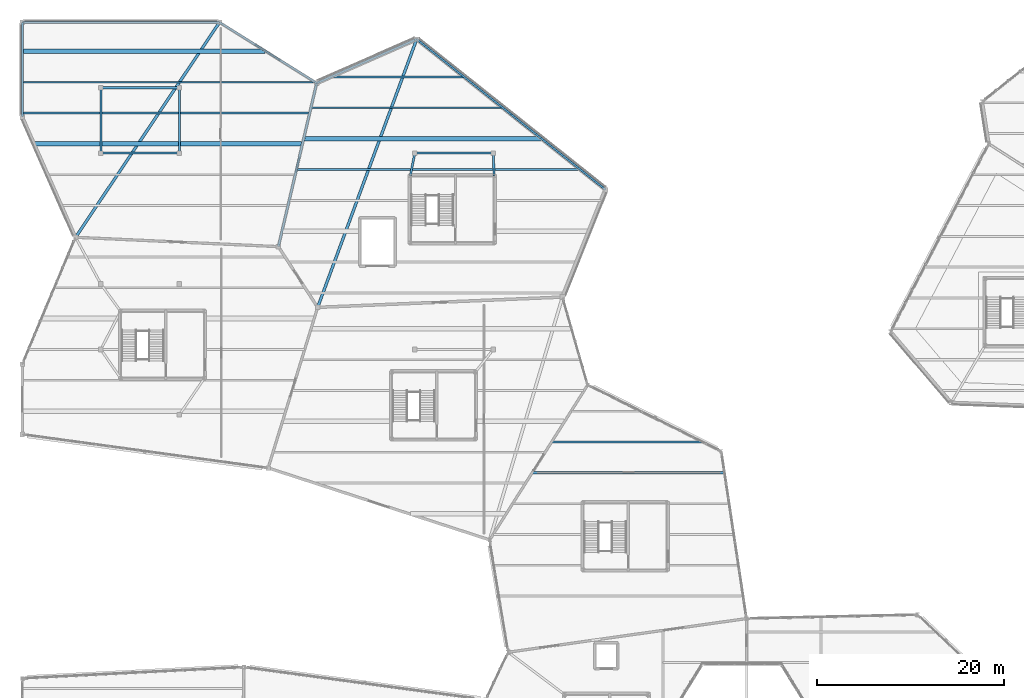
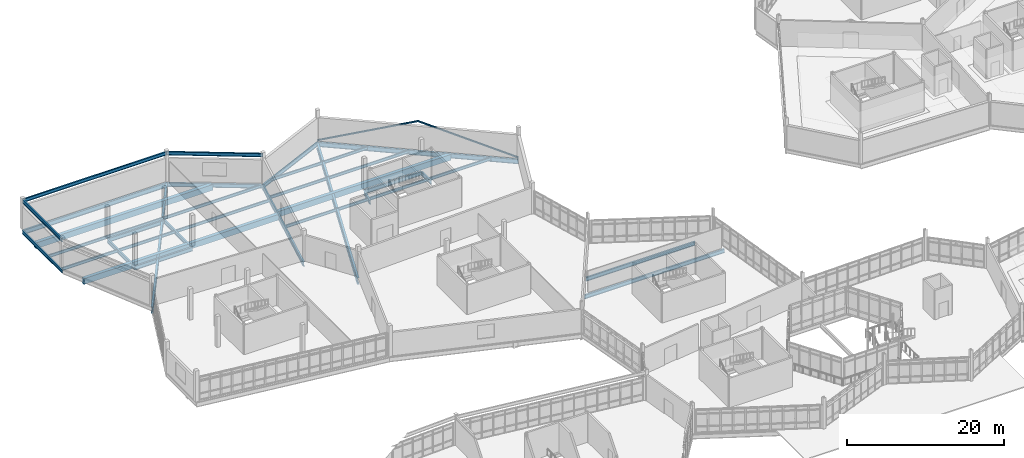
# One storey, part 57 of 134: 28 beams, 2 members.
"""IFC4 building model written with IfcOpenShell, lengths in metres."""

import ifcopenshell
import ifcopenshell.guid

model = None  # the IFC model being written
_history = None  # IfcOwnerHistory: only IFC2X3 demands one
_inside = {}  # id of a spatial element -> (the spatial element, [elements in it])
_under = {}  # id of a project, library or spatial element -> (it, [spatial elements below it])
_declared = {}  # id of a project -> (the project, [libraries it declares])
_typed = {}  # id of a type object -> (the type object, [elements of that type])
_made_of = {}  # id of a material, layer set ... -> (it, [elements and type objects made of it])


def new_model(schema):
    """Start an empty IFC model of exactly this schema.

    Asked for "IFC4X3", IfcOpenShell would pick the latest addendum, in which some entities
    have other attributes; the version numbers below select the first issue.
    IFC2X3 requires an IfcOwnerHistory on every rooted entity: one is made here for all.
    """
    global model, _history
    if schema == "IFC4X3":
        model = ifcopenshell.file(schema_version=(4, 3, 0, 0))
    else:
        model = ifcopenshell.file(schema=schema)
    _inside.clear()
    _under.clear()
    _declared.clear()
    _typed.clear()
    _made_of.clear()
    _history = None
    if model.schema == "IFC2X3":
        org = make("IfcOrganization", Name="unknown")
        user = make(
            "IfcPersonAndOrganization",
            ThePerson=make("IfcPerson", FamilyName="unknown"),
            TheOrganization=org,
        )
        app = make(
            "IfcApplication",
            ApplicationDeveloper=org,
            Version="unknown",
            ApplicationFullName="unknown",
            ApplicationIdentifier="unknown",
        )
        _history = make(
            "IfcOwnerHistory",
            OwningUser=user,
            OwningApplication=app,
            ChangeAction="ADDED",
            CreationDate=0,
        )
    return model


def make(cls, **values):
    """One entity of the class cls with the attributes given. An attribute that is None is left unset."""
    return model.create_entity(
        cls, **{name: value for name, value in values.items() if value is not None}
    )


def rooted(cls, **values):
    """An entity with a GlobalId (a new one), such as an element, a storey or a relation."""
    return make(cls, GlobalId=ifcopenshell.guid.new(), OwnerHistory=_history, **values)


def si_unit(unit_type, name, prefix=None):
    """IfcSIUnit, for example si_unit("LENGTHUNIT", "METRE", prefix="MILLI")."""
    return make("IfcSIUnit", UnitType=unit_type, Prefix=prefix, Name=name)


def assignment(units):
    """IfcUnitAssignment: the units of a project."""
    return None if units is None else make("IfcUnitAssignment", Units=units)


def point(xyz):
    """IfcCartesianPoint."""
    return None if xyz is None else make("IfcCartesianPoint", Coordinates=xyz)


def direction(xyz):
    """IfcDirection."""
    return None if xyz is None else make("IfcDirection", DirectionRatios=xyz)


def frame(location, z_axis=None, x_axis=None):
    """IfcAxis2Placement3D, a coordinate frame: its origin and axes. An axis left out is left unset."""
    return make(
        "IfcAxis2Placement3D",
        Location=point(location),
        Axis=direction(z_axis),
        RefDirection=direction(x_axis),
    )


def frame_2d(location, x_axis=None):
    """IfcAxis2Placement2D, a coordinate frame in the plane: its origin and x axis."""
    return make(
        "IfcAxis2Placement2D", Location=point(location), RefDirection=direction(x_axis)
    )


def origin():
    """The frame at (0, 0, 0) with its axes left unset."""
    return frame((0.0, 0.0, 0.0))


def origin_2d():
    """The frame at (0, 0) in the plane with its x axis left unset."""
    return frame_2d((0.0, 0.0))


def place(relative_to, where):
    """IfcLocalPlacement: puts the frame where relative to a parent placement (None: the world)."""
    return make(
        "IfcLocalPlacement", PlacementRelTo=relative_to, RelativePlacement=where
    )


def context(
    kind, dimensions, precision=None, world=None, true_north=None, identifier=None
):
    """IfcGeometricRepresentationContext, for example the 3D "Model" context."""
    return make(
        "IfcGeometricRepresentationContext",
        ContextIdentifier=identifier,
        ContextType=kind,
        CoordinateSpaceDimension=dimensions,
        Precision=precision,
        WorldCoordinateSystem=world,
        TrueNorth=true_north,
    )


def subcontext(parent, identifier, kind, view, scale=None):
    """IfcGeometricRepresentationSubContext, for example "Body" below "Model"."""
    return make(
        "IfcGeometricRepresentationSubContext",
        ContextIdentifier=identifier,
        ContextType=kind,
        ParentContext=parent,
        TargetScale=scale,
        TargetView=view,
    )


def project(units=None, contexts=None):
    """IfcProject with its units and contexts."""
    return rooted(
        "IfcProject",
        Name="project",
        RepresentationContexts=contexts,
        UnitsInContext=assignment(units),
    )


def spatial(cls, under=None, at=None, **own):
    """A site, building, storey or space (cls), placed at a placement, below another one or the project."""
    s = rooted(cls, ObjectPlacement=at, **own)
    if under is not None:
        _under.setdefault(under.id(), (under, []))[1].append(s)
    return s


def profile(cls, at=None, kind="AREA", **sizes):
    """A parametric profile (cls). Its sizes go by their IFC names, for example OverallWidth=200.0."""
    return make(cls, ProfileType=kind, Position=at, **sizes)


def rectangle(**sizes):
    """IfcRectangleProfileDef."""
    return profile("IfcRectangleProfileDef", **sizes)


def hollow_rectangle(**sizes):
    """IfcRectangleHollowProfileDef."""
    return profile("IfcRectangleHollowProfileDef", **sizes)


def i_section(**sizes):
    """IfcIShapeProfileDef."""
    return profile("IfcIShapeProfileDef", **sizes)


def extrude(swept, where, along, depth):
    """IfcExtrudedAreaSolid: the profile swept, set in the frame where, extruded along a direction by depth."""
    return make(
        "IfcExtrudedAreaSolid",
        SweptArea=swept,
        Position=where,
        ExtrudedDirection=direction(along),
        Depth=depth,
    )


def shape(context_of_items, identifier, shape_type, items):
    """IfcShapeRepresentation: the items that make up one representation, for example the "Body"."""
    return make(
        "IfcShapeRepresentation",
        ContextOfItems=context_of_items,
        RepresentationIdentifier=identifier,
        RepresentationType=shape_type,
        Items=items,
    )


def material(Name=None, Category=None):
    """IfcMaterial."""
    return make("IfcMaterial", Name=Name, Category=Category)


def material_profile(
    of_material, cross_section, Name=None, Category=None, Priority=None
):
    """IfcMaterialProfile: a cross section and its material."""
    return make(
        "IfcMaterialProfile",
        Name=Name,
        Material=of_material,
        Profile=cross_section,
        Priority=Priority,
        Category=Category,
    )


def profile_set(profiles, Name=None, composite=None):
    """IfcMaterialProfileSet."""
    return make(
        "IfcMaterialProfileSet",
        Name=Name,
        MaterialProfiles=profiles,
        CompositeProfile=composite,
    )


def made_of(thing, what):
    """Note that an element or type object is made of a material, layer set ...; save() writes the relation."""
    if what is not None:
        _made_of.setdefault(what.id(), (what, []))[1].append(thing)
    return thing


def type_object(cls, material=None, **own):
    """A type object (cls), such as IfcWallType, which elements share."""
    return made_of(rooted(cls, **own), material)


def element(
    cls,
    number,
    at=None,
    inside=None,
    cuts=None,
    type_object=None,
    material=None,
    context=None,
    identifier="Body",
    shape_type=None,
    held_by="IfcProductDefinitionShape",
    body=None,
    shapes=None,
    **own,
):
    """One element of the class cls, such as IfcWall. Its Tag is "e" and its number.

    at: its placement. inside: the storey or other place that contains it. cuts: it is an
    opening in that element (IfcRelVoidsElement). A single representation is given by context,
    identifier, shape_type and body (its items); several are given by shapes. held_by: the class
    of the entity that holds the representations. save() writes the other relations.
    """
    e = rooted(cls, Tag="e%d" % number, ObjectPlacement=at, **own)
    if body is not None:
        shapes = [shape(context, identifier, shape_type, body)]
    if shapes is not None:
        e.Representation = make(held_by, Representations=shapes)
    if inside is not None:
        _inside.setdefault(inside.id(), (inside, []))[1].append(e)
    if cuts is not None:
        rooted(
            "IfcRelVoidsElement", RelatingBuildingElement=cuts, RelatedOpeningElement=e
        )
    if type_object is not None:
        _typed.setdefault(type_object.id(), (type_object, []))[1].append(e)
    return made_of(e, material)


def aggregate(whole, parts):
    """IfcRelAggregates: a whole, such as a stair, and the parts it consists of."""
    return rooted("IfcRelAggregates", RelatingObject=whole, RelatedObjects=parts)


def save(model, path):
    """Write the relations noted so far, then the file.

    IfcRelAggregates (storeys below a building ...), IfcRelContainedInSpatialStructure (elements
    in a storey), IfcRelDefinesByType, IfcRelAssociatesMaterial and IfcRelDeclares: one each for
    every whole, place, type object, material and project.
    """
    for whole, parts in _under.values():
        aggregate(whole, parts)
    for where, things in _inside.values():
        rooted(
            "IfcRelContainedInSpatialStructure",
            RelatedElements=things,
            RelatingStructure=where,
        )
    for kind, things in _typed.values():
        rooted("IfcRelDefinesByType", RelatedObjects=things, RelatingType=kind)
    for what, things in _made_of.values():
        rooted("IfcRelAssociatesMaterial", RelatedObjects=things, RelatingMaterial=what)
    for by, libraries in _declared.values():
        rooted("IfcRelDeclares", RelatingContext=by, RelatedDefinitions=libraries)
    model.write(path)


model = new_model("IFC4")

# Units and contexts
model_context = context("Model", 3, precision=1e-05, world=origin(), true_north=direction((0.0, 1.0)))
body_context = subcontext(model_context, "Body", "Model", "MODEL_VIEW")
ifc_project = project(units=[si_unit("LENGTHUNIT", "METRE"), si_unit("AREAUNIT", "SQUARE_METRE"), si_unit("VOLUMEUNIT", "CUBIC_METRE"), si_unit("PLANEANGLEUNIT", "RADIAN"), si_unit("MASSUNIT", "GRAM", prefix="KILO")], contexts=[model_context])

# Site, building, storey
site_placement = place(None, origin())
site = spatial("IfcSite", under=ifc_project, at=site_placement, CompositionType="ELEMENT")
building_placement = place(site_placement, origin())
building = spatial("IfcBuilding", under=site, at=building_placement, Name="Tameran Prism Museum", CompositionType="ELEMENT")
storey_placement = place(building_placement, frame((0.0, 0.0, 5.39990234375)))
storey = spatial("IfcBuildingStorey", under=building, at=storey_placement, Name="L01", CompositionType="ELEMENT", Elevation=5.39990234375)

# Beams
ifc_material_1 = material(Name="Steel Grade 300PLUS (300 MPa)", Category="steel")
ifc_material_profile_1 = material_profile(ifc_material_1, i_section(OverallWidth=0.19091796875, OverallDepth=0.4599609375, WebThickness=0.010009765625, FlangeThickness=0.01611328125, FilletRadius=0.011474609375, at=origin_2d()))
ifc_profile_set_1 = profile_set([ifc_material_profile_1])
beam_type_1 = type_object("IfcBeamType", Name="BM-J460A", PredefinedType="JOIST", material=ifc_profile_set_1)
beam_1_placement = place(storey_placement, frame((29.3740234375, 96.25, -0.489990234375), z_axis=(1.0, 0.0, 0.0), x_axis=(0.0, 1.0, 0.0)))
element("IfcBeam", 1, at=beam_1_placement, inside=storey, type_object=beam_type_1, Name="Floor Beam BM-0629", PredefinedType="JOIST", context=body_context, shape_type="SweptSolid", body=[
    extrude(i_section(OverallWidth=0.19091796875, OverallDepth=0.4599609375, WebThickness=0.010009765625, FlangeThickness=0.01611328125, FilletRadius=0.011474609375, at=origin_2d()), origin(), (0.0, 0.0, 1.0), 30.263916015625),
])
beam_2_placement = place(storey_placement, frame((30.919921875, 102.85009765625, -0.489990234375), z_axis=(1.0, 0.0, 0.0), x_axis=(0.0, 1.0, 0.0)))
element("IfcBeam", 2, at=beam_2_placement, inside=storey, type_object=beam_type_1, Name="Floor Beam BM-0631", PredefinedType="JOIST", context=body_context, shape_type="SweptSolid", body=[
    extrude(i_section(OverallWidth=0.19091796875, OverallDepth=0.4599609375, WebThickness=0.010009765625, FlangeThickness=0.01611328125, FilletRadius=0.011474609375, at=origin_2d()), origin(), (0.0, 0.0, 1.0), 20.43798828125),
])
beam_3_placement = place(storey_placement, frame((33.0791015625, 106.14990234375, -0.489990234375), z_axis=(1.0, 0.0, 0.0), x_axis=(0.0, 1.0, 0.0)))
element("IfcBeam", 3, at=beam_3_placement, inside=storey, type_object=beam_type_1, Name="Floor Beam BM-0632", PredefinedType="JOIST", context=body_context, shape_type="SweptSolid", body=[
    extrude(i_section(OverallWidth=0.19091796875, OverallDepth=0.4599609375, WebThickness=0.010009765625, FlangeThickness=0.01611328125, FilletRadius=0.011474609375, at=origin_2d()), origin(), (0.0, 0.0, 1.0), 14.137939453125),
])
beam_4_placement = place(storey_placement, frame((0.0400390625, 102.300048828125, -0.489990234375), z_axis=(1.0, 0.0, 0.0), x_axis=(0.0, 1.0, 0.0)))
element("IfcBeam", 4, at=beam_4_placement, inside=storey, type_object=beam_type_1, Name="Floor Beam BM-0644", PredefinedType="JOIST", context=body_context, shape_type="SweptSolid", body=[
    extrude(i_section(OverallWidth=0.19091796875, OverallDepth=0.4599609375, WebThickness=0.010009765625, FlangeThickness=0.01611328125, FilletRadius=0.011474609375, at=origin_2d()), origin(), (0.0, 0.0, 1.0), 30.6689453125),
])
beam_5_placement = place(storey_placement, frame((0.0400390625, 105.60009765625, -0.489990234375), z_axis=(1.0, 0.0, 0.0), x_axis=(0.0, 1.0, 0.0)))
element("IfcBeam", 5, at=beam_5_placement, inside=storey, type_object=beam_type_1, Name="Floor Beam BM-0645", PredefinedType="JOIST", context=body_context, shape_type="SweptSolid", body=[
    extrude(i_section(OverallWidth=0.19091796875, OverallDepth=0.4599609375, WebThickness=0.010009765625, FlangeThickness=0.01611328125, FilletRadius=0.011474609375, at=origin_2d()), origin(), (0.0, 0.0, 1.0), 31.224853515625),
])
ifc_material_2 = material(Name="Concrete N40 (40 MPa)", Category="concrete")
ifc_material_profile_2 = material_profile(ifc_material_2, rectangle(XDim=0.5, YDim=0.89990234375, at=origin_2d()))
ifc_profile_set_2 = profile_set([ifc_material_profile_2])
beam_type_2 = type_object("IfcBeamType", Name="BM-RC900", PredefinedType="BEAM", material=ifc_profile_set_2)
beam_6_placement = place(storey_placement, frame((30.14697265625, 99.550048828125, -0.7099609375), z_axis=(1.0, 0.0, 0.0), x_axis=(0.0, 1.0, 0.0)))
element("IfcBeam", 6, at=beam_6_placement, inside=storey, type_object=beam_type_2, Name="Floor Beam BM-0630", PredefinedType="BEAM", context=body_context, shape_type="SweptSolid", body=[
    extrude(rectangle(XDim=0.5, YDim=0.89990234375, at=origin_2d()), origin(), (0.0, 0.0, 1.0), 25.35107421875),
])
beam_7_placement = place(storey_placement, frame((1.324951171875, 99.0, -0.7099609375), z_axis=(1.0, 0.0, 0.0), x_axis=(0.0, 1.0, 0.0)))
element("IfcBeam", 7, at=beam_7_placement, inside=storey, type_object=beam_type_2, Name="Floor Beam BM-0643", PredefinedType="BEAM", context=body_context, shape_type="SweptSolid", body=[
    extrude(rectangle(XDim=0.5, YDim=0.89990234375, at=origin_2d()), origin(), (0.0, 0.0, 1.0), 28.611083984375),
])
beam_8_placement = place(storey_placement, frame((0.0400390625, 108.89990234375, -0.7099609375), z_axis=(1.0, 0.0, 0.0), x_axis=(0.0, 1.0, 0.0)))
element("IfcBeam", 8, at=beam_8_placement, inside=storey, type_object=beam_type_2, Name="Floor Beam BM-0646", PredefinedType="BEAM", context=body_context, shape_type="SweptSolid", body=[
    extrude(rectangle(XDim=0.5, YDim=0.89990234375, at=origin_2d()), origin(), (0.0, 0.0, 1.0), 25.945068359375),
])
ifc_material_3 = material(Name="Steel Grade 300PLUS (300 MPa)", Category="steel")
ifc_material_profile_3 = material_profile(ifc_material_3, i_section(OverallWidth=0.208984375, OverallDepth=0.532958984375, WebThickness=0.01025390625, FlangeThickness=0.015625, FilletRadius=0.013916015625, at=origin_2d()))
ifc_profile_set_3 = profile_set([ifc_material_profile_3])
beam_type_3 = type_object("IfcBeamType", Name="BM-SP530A", PredefinedType="SPANDREL", material=ifc_profile_set_3)
beam_9_placement = place(storey_placement, frame((0.0, 112.0, -0.5263671875), z_axis=(0.0, -1.0, 0.0), x_axis=(1.0, 0.0, 0.0)))
element("IfcBeam", 9, at=beam_9_placement, inside=storey, type_object=beam_type_3, Name="Perimeter Spandrel SP-0427", PredefinedType="SPANDREL", context=body_context, shape_type="SweptSolid", body=[
    extrude(i_section(OverallWidth=0.208984375, OverallDepth=0.532958984375, WebThickness=0.01025390625, FlangeThickness=0.015625, FilletRadius=0.013916015625, at=origin_2d()), origin(), (0.0, 0.0, 1.0), 10.10009765625),
])
ifc_material_4 = material(Name="Steel Grade 300PLUS (300 MPa)", Category="steel")
ifc_material_profile_4 = material_profile(ifc_material_4, i_section(OverallWidth=0.208984375, OverallDepth=0.528076171875, WebThickness=0.009521484375, FlangeThickness=0.01318359375, FilletRadius=0.013916015625, at=origin_2d()))
ifc_profile_set_4 = profile_set([ifc_material_profile_4])
beam_type_4 = type_object("IfcBeamType", Name="BM-SP530B", PredefinedType="SPANDREL", material=ifc_profile_set_4)
beam_10_placement = place(storey_placement, frame((31.5, 105.5, 4.2861328125), z_axis=(-0.847996067262, 0.530002518775, 0.0), x_axis=(-0.530002518775, -0.847996067262, 0.0)))
element("IfcBeam", 10, at=beam_10_placement, inside=storey, type_object=beam_type_4, Name="Roof Ring Beam RB-0429", PredefinedType="SPANDREL", context=body_context, shape_type="SweptSolid", body=[
    extrude(i_section(OverallWidth=0.208984375, OverallDepth=0.528076171875, WebThickness=0.009521484375, FlangeThickness=0.01318359375, FilletRadius=0.013916015625, at=origin_2d()), origin(), (0.0, 0.0, 1.0), 12.26416015625),
])
beam_11_placement = place(storey_placement, frame((21.10009765625, 112.0, 4.2861328125), z_axis=(-1.0, 0.0, 0.0), x_axis=(0.0, -1.0, 0.0)))
element("IfcBeam", 11, at=beam_11_placement, inside=storey, type_object=beam_type_4, Name="Roof Ring Beam RB-0430", PredefinedType="SPANDREL", context=body_context, shape_type="SweptSolid", body=[
    extrude(i_section(OverallWidth=0.208984375, OverallDepth=0.528076171875, WebThickness=0.009521484375, FlangeThickness=0.01318359375, FilletRadius=0.013916015625, at=origin_2d()), origin(), (0.0, 0.0, 1.0), 21.10009765625),
])
beam_12_placement = place(storey_placement, frame((0.0, 112.0, 4.2861328125), z_axis=(0.0, -1.0, 0.0), x_axis=(1.0, 0.0, 0.0)))
element("IfcBeam", 12, at=beam_12_placement, inside=storey, type_object=beam_type_4, Name="Roof Ring Beam RB-0431", PredefinedType="SPANDREL", context=body_context, shape_type="SweptSolid", body=[
    extrude(i_section(OverallWidth=0.208984375, OverallDepth=0.528076171875, WebThickness=0.009521484375, FlangeThickness=0.01318359375, FilletRadius=0.013916015625, at=origin_2d()), origin(), (0.0, 0.0, 1.0), 10.10009765625),
])
ifc_material_5 = material(Name="Steel Grade 300PLUS (300 MPa)", Category="steel")
ifc_material_profile_5 = material_profile(ifc_material_5, i_section(OverallWidth=0.22802734375, OverallDepth=0.60205078125, WebThickness=0.010498046875, FlangeThickness=0.014892578125, FilletRadius=0.013916015625, at=origin_2d()))
ifc_profile_set_5 = profile_set([ifc_material_profile_5])
beam_type_5 = type_object("IfcBeamType", Name="BM-SP610", PredefinedType="SPANDREL", material=ifc_profile_set_5)
beam_13_placement = place(storey_placement, frame((42.199951171875, 110.199951171875, -0.560791015625), z_axis=(-0.915568057854, -0.40216306573, 0.0), x_axis=(0.40216306573, -0.915568057854, 0.0)))
element("IfcBeam", 13, at=beam_13_placement, inside=storey, type_object=beam_type_5, Name="Perimeter Spandrel SP-0417", PredefinedType="SPANDREL", context=body_context, shape_type="SweptSolid", body=[
    extrude(i_section(OverallWidth=0.22802734375, OverallDepth=0.60205078125, WebThickness=0.010498046875, FlangeThickness=0.014892578125, FilletRadius=0.013916015625, at=origin_2d()), origin(), (0.0, 0.0, 1.0), 11.686767578125),
])
beam_14_placement = place(storey_placement, frame((31.5, 105.5, -0.560791015625), z_axis=(-0.847996067262, 0.530002518775, 0.0), x_axis=(-0.530002518775, -0.847996067262, 0.0)))
element("IfcBeam", 14, at=beam_14_placement, inside=storey, type_object=beam_type_5, Name="Perimeter Spandrel SP-0425", PredefinedType="SPANDREL", context=body_context, shape_type="SweptSolid", body=[
    extrude(i_section(OverallWidth=0.22802734375, OverallDepth=0.60205078125, WebThickness=0.010498046875, FlangeThickness=0.014892578125, FilletRadius=0.013916015625, at=origin_2d()), origin(), (0.0, 0.0, 1.0), 12.26416015625),
])
ifc_material_6 = material(Name="Steel Grade 350 (350 MPa)", Category="steel")
ifc_material_profile_6 = material_profile(ifc_material_6, i_section(OverallWidth=0.25, OverallDepth=0.699951171875, WebThickness=0.010009765625, FlangeThickness=0.02001953125, at=origin_2d()))
ifc_profile_set_6 = profile_set([ifc_material_profile_6])
beam_type_6 = type_object("IfcBeamType", Name="BM-SP700", PredefinedType="SPANDREL", material=ifc_profile_set_6)
beam_15_placement = place(storey_placement, frame((62.39990234375, 94.10009765625, -0.60986328125), z_axis=(-0.78200261515, 0.623275147827, 0.0), x_axis=(-0.623275147827, -0.78200261515, 0.0)))
element("IfcBeam", 15, at=beam_15_placement, inside=storey, type_object=beam_type_6, Name="Perimeter Spandrel SP-0416", PredefinedType="SPANDREL", context=body_context, shape_type="SweptSolid", body=[
    extrude(i_section(OverallWidth=0.25, OverallDepth=0.699951171875, WebThickness=0.010009765625, FlangeThickness=0.02001953125, at=origin_2d()), origin(), (0.0, 0.0, 1.0), 25.8310546875),
])
beam_16_placement = place(storey_placement, frame((31.5, 105.5, -0.60986328125), z_axis=(-0.228114067381, -0.973634414071, 0.0), x_axis=(0.973634414071, -0.228114067381, 0.0)))
element("IfcBeam", 16, at=beam_16_placement, inside=storey, type_object=beam_type_6, Name="Perimeter Spandrel SP-0418", PredefinedType="SPANDREL", context=body_context, shape_type="SweptSolid", body=[
    extrude(i_section(OverallWidth=0.25, OverallDepth=0.699951171875, WebThickness=0.010009765625, FlangeThickness=0.02001953125, at=origin_2d()), origin(), (0.0, 0.0, 1.0), 17.973876953125),
])
beam_17_placement = place(storey_placement, frame((21.10009765625, 112.0, -0.60986328125), z_axis=(-1.0, 0.0, 0.0), x_axis=(0.0, -1.0, 0.0)))
element("IfcBeam", 17, at=beam_17_placement, inside=storey, type_object=beam_type_6, Name="Perimeter Spandrel SP-0426", PredefinedType="SPANDREL", context=body_context, shape_type="SweptSolid", body=[
    extrude(i_section(OverallWidth=0.25, OverallDepth=0.699951171875, WebThickness=0.010009765625, FlangeThickness=0.02001953125, at=origin_2d()), origin(), (0.0, 0.0, 1.0), 21.10009765625),
])
ifc_material_7 = material(Name="Steel Grade 300PLUS (300 MPa)", Category="steel")
ifc_material_profile_7 = material_profile(ifc_material_7, i_section(OverallWidth=0.22900390625, OverallDepth=0.612060546875, WebThickness=0.011962890625, FlangeThickness=0.01953125, FilletRadius=0.013916015625, at=origin_2d()))
ifc_profile_set_7 = profile_set([ifc_material_profile_7])
beam_type_7 = type_object("IfcBeamType", Name="BM-UB610A", PredefinedType="BEAM", material=ifc_profile_set_7)
beam_18_placement = place(storey_placement, frame((42.0, 98.0, -0.56591796875), z_axis=(-0.194555363686, -0.980891538582, 0.0), x_axis=(0.980891538582, -0.194555363686, 0.0)))
element("IfcBeam", 18, at=beam_18_placement, inside=storey, type_object=beam_type_7, Name="Frame Tie Girder FG-1333", PredefinedType="BEAM", context=body_context, shape_type="SweptSolid", body=[
    extrude(i_section(OverallWidth=0.22900390625, OverallDepth=0.612060546875, WebThickness=0.011962890625, FlangeThickness=0.01953125, FilletRadius=0.013916015625, at=origin_2d()), origin(), (0.0, 0.0, 1.0), 2.467041015625),
])
beam_19_placement = place(storey_placement, frame((42.0, 98.0, -0.56591796875), z_axis=(1.0, 0.0, 0.0), x_axis=(0.0, 1.0, 0.0)))
element("IfcBeam", 19, at=beam_19_placement, inside=storey, type_object=beam_type_7, Name="Frame Tie Girder FG-1334", PredefinedType="BEAM", context=body_context, shape_type="SweptSolid", body=[
    extrude(i_section(OverallWidth=0.22900390625, OverallDepth=0.612060546875, WebThickness=0.011962890625, FlangeThickness=0.01953125, FilletRadius=0.013916015625, at=origin_2d()), origin(), (0.0, 0.0, 1.0), 8.39990234375),
])
beam_20_placement = place(storey_placement, frame((50.39990234375, 98.0, -0.56591796875), z_axis=(0.033073099557, -0.999452935403, 0.0), x_axis=(0.999452935403, 0.033073099557, 0.0)))
element("IfcBeam", 20, at=beam_20_placement, inside=storey, type_object=beam_type_7, Name="Frame Tie Girder FG-1340", PredefinedType="BEAM", context=body_context, shape_type="SweptSolid", body=[
    extrude(i_section(OverallWidth=0.22900390625, OverallDepth=0.612060546875, WebThickness=0.011962890625, FlangeThickness=0.01953125, FilletRadius=0.013916015625, at=origin_2d()), origin(), (0.0, 0.0, 1.0), 2.421142578125),
])
beam_21_placement = place(storey_placement, frame((8.39990234375, 98.0, -0.56591796875), z_axis=(0.0, 1.0, 0.0), x_axis=(-1.0, 0.0, 0.0)))
element("IfcBeam", 21, at=beam_21_placement, inside=storey, type_object=beam_type_7, Name="Frame Tie Girder FG-1360", PredefinedType="BEAM", context=body_context, shape_type="SweptSolid", body=[
    extrude(i_section(OverallWidth=0.22900390625, OverallDepth=0.612060546875, WebThickness=0.011962890625, FlangeThickness=0.01953125, FilletRadius=0.013916015625, at=origin_2d()), origin(), (0.0, 0.0, 1.0), 7.0),
])
for number, where, z_axis, x_axis, name in (
    (22, (8.39990234375, 98.0, -0.56591796875), (1.0, 0.0, 0.0), (0.0, 1.0, 0.0), "Frame Tie Girder FG-1361"),
    (23, (8.39990234375, 105.0, -0.56591796875), (1.0, 0.0, 0.0), (0.0, 1.0, 0.0), "Frame Tie Girder FG-1363"),
):
    element("IfcBeam", number, at=place(storey_placement, frame(where, z_axis=z_axis, x_axis=x_axis)), inside=storey, type_object=beam_type_7, Name=name, PredefinedType="BEAM", context=body_context, shape_type="SweptSolid", body=[
        extrude(i_section(OverallWidth=0.22900390625, OverallDepth=0.612060546875, WebThickness=0.011962890625, FlangeThickness=0.01953125, FilletRadius=0.013916015625, at=origin_2d()), origin(), (0.0, 0.0, 1.0), 8.400146484375),
    ])
beam_22_placement = place(storey_placement, frame((16.800048828125, 98.0, -0.56591796875), z_axis=(0.0, 1.0, 0.0), x_axis=(-1.0, 0.0, 0.0)))
element("IfcBeam", 24, at=beam_22_placement, inside=storey, type_object=beam_type_7, Name="Frame Tie Girder FG-1365", PredefinedType="BEAM", context=body_context, shape_type="SweptSolid", body=[
    extrude(i_section(OverallWidth=0.22900390625, OverallDepth=0.612060546875, WebThickness=0.011962890625, FlangeThickness=0.01953125, FilletRadius=0.013916015625, at=origin_2d()), origin(), (0.0, 0.0, 1.0), 7.0),
])
ifc_material_8 = material(Name="Steel Grade 300PLUS (300 MPa)", Category="steel")
ifc_material_profile_8 = material_profile(ifc_material_8, i_section(OverallWidth=0.22802734375, OverallDepth=0.60693359375, WebThickness=0.01123046875, FlangeThickness=0.017333984375, FilletRadius=0.013916015625, at=origin_2d()))
ifc_profile_set_8 = profile_set([ifc_material_profile_8])
beam_type_8 = type_object("IfcBeamType", Name="BM-UB610B", PredefinedType="BEAM", material=ifc_profile_set_8)
beam_23_placement = place(storey_placement, frame((54.60205078125, 63.800048828125, -0.50341796875), z_axis=(1.0, 0.0, 0.0), x_axis=(0.0, 1.0, 0.0)))
element("IfcBeam", 25, at=beam_23_placement, inside=storey, type_object=beam_type_8, Name="Floor Beam BM-0558", PredefinedType="BEAM", context=body_context, shape_type="SweptSolid", body=[
    extrude(i_section(OverallWidth=0.22802734375, OverallDepth=0.60693359375, WebThickness=0.01123046875, FlangeThickness=0.017333984375, FilletRadius=0.013916015625, at=origin_2d()), origin(), (0.0, 0.0, 1.0), 20.50390625),
])
beam_24_placement = place(storey_placement, frame((56.68896484375, 67.10009765625, -0.50341796875), z_axis=(1.0, 0.0, 0.0), x_axis=(0.0, 1.0, 0.0)))
element("IfcBeam", 26, at=beam_24_placement, inside=storey, type_object=beam_type_8, Name="Floor Beam BM-0559", PredefinedType="BEAM", context=body_context, shape_type="SweptSolid", body=[
    extrude(i_section(OverallWidth=0.22802734375, OverallDepth=0.60693359375, WebThickness=0.01123046875, FlangeThickness=0.017333984375, FilletRadius=0.013916015625, at=origin_2d()), origin(), (0.0, 0.0, 1.0), 16.007080078125),
])
ifc_material_9 = material(Name="Steel Grade 350 (350 MPa)", Category="steel")
ifc_material_profile_9 = material_profile(ifc_material_9, i_section(OverallWidth=0.300048828125, OverallDepth=1.0, WebThickness=0.01611328125, FlangeThickness=0.031982421875, at=origin_2d()))
ifc_profile_set_9 = profile_set([ifc_material_profile_9])
beam_type_9 = type_object("IfcBeamType", Name="BM-WB1000", PredefinedType="BEAM", material=ifc_profile_set_9)
beam_25_placement = place(storey_placement, frame((31.60009765625, 81.5, -0.760009765625), z_axis=(0.34645889059, 0.938065156122, 0.0), x_axis=(-0.938065156122, 0.34645889059, 0.0)))
element("IfcBeam", 27, at=beam_25_placement, inside=storey, type_object=beam_type_9, Name="Primary Vertex Girder PG-0420", PredefinedType="BEAM", context=body_context, shape_type="SweptSolid", body=[
    extrude(i_section(OverallWidth=0.300048828125, OverallDepth=1.0, WebThickness=0.01611328125, FlangeThickness=0.031982421875, at=origin_2d()), origin(), (0.0, 0.0, 1.0), 30.5947265625),
])
beam_26_placement = place(storey_placement, frame((5.699951171875, 89.0, -0.760009765625), z_axis=(0.556370168466, 0.830934555571, 0.0), x_axis=(-0.830934555571, 0.556370168466, 0.0)))
element("IfcBeam", 28, at=beam_26_placement, inside=storey, type_object=beam_type_9, Name="Primary Vertex Girder PG-0433", PredefinedType="BEAM", context=body_context, shape_type="SweptSolid", body=[
    extrude(i_section(OverallWidth=0.300048828125, OverallDepth=1.0, WebThickness=0.01611328125, FlangeThickness=0.031982421875, at=origin_2d()), origin(), (0.0, 0.0, 1.0), 27.6796875),
])

# Members
ifc_material_10 = material(Name="Steel Grade C350L0 (350 MPa)", Category="steel")
ifc_material_profile_10 = material_profile(ifc_material_10, hollow_rectangle(XDim=0.199951171875, YDim=0.199951171875, WallThickness=0.009033203125, InnerFilletRadius=0.013427734375, OuterFilletRadius=0.0224609375, at=origin_2d()))
ifc_profile_set_10 = profile_set([ifc_material_profile_10])
member_type = type_object("IfcMemberType", Name="MM-BR-SHS200", PredefinedType="BRACE", material=ifc_profile_set_10)
member_1_placement = place(storey_placement, frame((62.39990234375, 94.10009765625, 0.0), z_axis=(-0.741961031028, 0.59135920895, 0.315892567853), x_axis=(-0.623273974648, -0.782003550201, 0.0)))
element("IfcMember", 29, at=member_1_placement, inside=storey, type_object=member_type, Name="Lateral Chevron Brace CBF-007", PredefinedType="BRACE", context=body_context, shape_type="SweptSolid", body=[
    extrude(hollow_rectangle(XDim=0.199951171875, YDim=0.199951171875, WallThickness=0.009033203125, InnerFilletRadius=0.013427734375, OuterFilletRadius=0.0224609375, at=origin_2d()), origin(), (0.0, 0.0, 1.0), 13.6123046875),
])
member_2_placement = place(storey_placement, frame((42.199951171875, 110.199951171875, 0.0), z_axis=(0.741961223412, -0.591363002649, 0.31588501397), x_axis=(0.623276320973, 0.782001680122, 0.0)))
element("IfcMember", 30, at=member_2_placement, inside=storey, type_object=member_type, Name="Lateral Chevron Brace CBF-008", PredefinedType="BRACE", context=body_context, shape_type="SweptSolid", body=[
    extrude(hollow_rectangle(XDim=0.199951171875, YDim=0.199951171875, WallThickness=0.009033203125, InnerFilletRadius=0.013427734375, OuterFilletRadius=0.0224609375, at=origin_2d()), origin(), (0.0, 0.0, 1.0), 13.61279296875),
])

save(model, "model.ifc")
